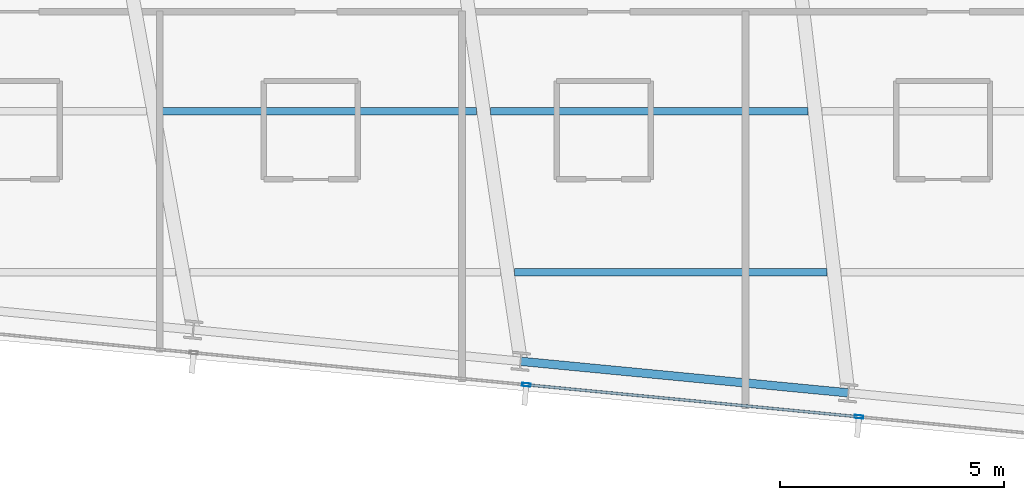
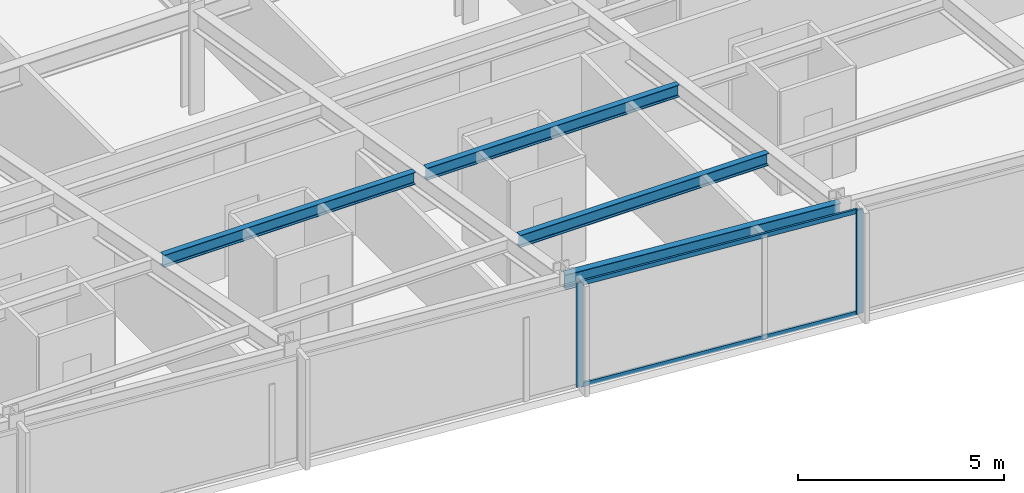
# One storey, part 12 of 36: 4 beams, 4 members, 1 element without a shape of its own.
"""IFC4 building model written with IfcOpenShell, lengths in metres."""

from ifc_helpers import new_model, si_unit, direction, frame, origin, origin_2d, place, context, subcontext, project, spatial, hollow_rectangle, i_section, extrude, material, material_profile, profile_set, type_object, element, aggregate, save


model = new_model("IFC4")

# Units and contexts
model_context = context("Model", 3, precision=1e-05, world=origin(), true_north=direction((0.0, 1.0)))
body_context = subcontext(model_context, "Body", "Model", "MODEL_VIEW")
ifc_project = project(units=[si_unit("LENGTHUNIT", "METRE"), si_unit("AREAUNIT", "SQUARE_METRE"), si_unit("VOLUMEUNIT", "CUBIC_METRE"), si_unit("PLANEANGLEUNIT", "RADIAN"), si_unit("MASSUNIT", "GRAM", prefix="KILO")], contexts=[model_context])

# Site, building, storey
site_placement = place(None, origin())
site = spatial("IfcSite", under=ifc_project, at=site_placement, CompositionType="ELEMENT")
building_placement = place(site_placement, origin())
building = spatial("IfcBuilding", under=site, at=building_placement, Name="Yelkora Congress Tower", CompositionType="ELEMENT")
storey_placement = place(building_placement, frame((0.0, 0.0, 152.300048828125)))
storey = spatial("IfcBuildingStorey", under=building, at=storey_placement, Name="L41", CompositionType="ELEMENT", Elevation=152.300048828125)

# Beams
ifc_material_1 = material(Name="Steel S355J2", Category="steel")
ifc_material_profile_1 = material_profile(ifc_material_1, i_section(OverallWidth=0.169921875, OverallDepth=0.360107421875, WebThickness=0.008056640625, FlangeThickness=0.0126953125, FilletRadius=0.01806640625, at=origin_2d()), Name="IPE 360")
ifc_profile_set_1 = profile_set([ifc_material_profile_1], Name="Steel S355J2")
beam_type_1 = type_object("IfcBeamType", Name="BM-JOIST-IPE360", PredefinedType="JOIST", material=ifc_profile_set_1)
beam_1_placement = place(storey_placement, frame((40.39990234375, 12.8212890625, 2.89990234375), z_axis=(1.0, 0.0, 0.0), x_axis=(0.0, 1.0, 0.0)))
element("IfcBeam", 1, at=beam_1_placement, inside=storey, type_object=beam_type_1, Name="L41 Composite Floor Joist 3", PredefinedType="JOIST", context=body_context, shape_type="SweptSolid", body=[
    extrude(i_section(OverallWidth=0.169921875, OverallDepth=0.360107421875, WebThickness=0.008056640625, FlangeThickness=0.0126953125, FilletRadius=0.01806640625, at=origin_2d()), origin(), (0.0, 0.0, 1.0), 6.98095703125),
])
beam_2_placement = place(storey_placement, frame((32.481201171875, 16.421142578125, 2.89990234375), z_axis=(1.0, 0.0, 0.0), x_axis=(0.0, 1.0, 0.0)))
element("IfcBeam", 2, at=beam_2_placement, inside=storey, type_object=beam_type_1, Name="L41 Composite Floor Joist 9", PredefinedType="JOIST", context=body_context, shape_type="SweptSolid", body=[
    extrude(i_section(OverallWidth=0.169921875, OverallDepth=0.360107421875, WebThickness=0.008056640625, FlangeThickness=0.0126953125, FilletRadius=0.01806640625, at=origin_2d()), origin(), (0.0, 0.0, 1.0), 7.063720703125),
])
beam_3_placement = place(storey_placement, frame((39.86474609375, 16.421142578125, 2.89990234375), z_axis=(1.0, 0.0, 0.0), x_axis=(0.0, 1.0, 0.0)))
element("IfcBeam", 3, at=beam_3_placement, inside=storey, type_object=beam_type_1, Name="L41 Composite Floor Joist 10", PredefinedType="JOIST", context=body_context, shape_type="SweptSolid", body=[
    extrude(i_section(OverallWidth=0.169921875, OverallDepth=0.360107421875, WebThickness=0.008056640625, FlangeThickness=0.0126953125, FilletRadius=0.01806640625, at=origin_2d()), origin(), (0.0, 0.0, 1.0), 7.09130859375),
])
ifc_material_profile_2 = material_profile(ifc_material_1, i_section(OverallWidth=0.18994140625, OverallDepth=0.449951171875, WebThickness=0.009521484375, FlangeThickness=0.0146484375, FilletRadius=0.02099609375, at=origin_2d()), Name="IPE 450")
ifc_profile_set_2 = profile_set([ifc_material_profile_2], Name="Steel S355J2")
beam_type_2 = type_object("IfcBeamType", Name="BM-SPAN-IPE450", PredefinedType="SPANDREL", material=ifc_profile_set_2)
beam_4_placement = place(storey_placement, frame((40.53564453125, 10.83154296875, 2.85498046875), z_axis=(0.995397104697, -0.095836339457, 0.0), x_axis=(0.095836339457, 0.995397104697, 0.0)))
element("IfcBeam", 4, at=beam_4_placement, inside=storey, type_object=beam_type_2, Name="L41 Perimeter Beam 7", PredefinedType="SPANDREL", context=body_context, shape_type="SweptSolid", body=[
    extrude(i_section(OverallWidth=0.18994140625, OverallDepth=0.449951171875, WebThickness=0.009521484375, FlangeThickness=0.0146484375, FilletRadius=0.02099609375, at=origin_2d()), origin(), (0.0, 0.0, 1.0), 7.357177734375),
])

# Curtain wall, members
ifc_material_2 = material(Name="Anodised aluminium and insulated glass", Category="aluminium")
curtain_wall_type = type_object("IfcCurtainWallType", Name="CW-SYS-B3", PredefinedType="NOTDEFINED", material=ifc_material_2)
curtain_wall_placement = place(storey_placement, origin())
curtain_wall = element("IfcCurtainWall", 5, at=curtain_wall_placement, inside=storey, type_object=curtain_wall_type, Name="L41 Unitised Curtain Wall 20", PredefinedType="NOTDEFINED")
ifc_material_3 = material(Name="Anodised aluminium 6063-T6", Category="aluminium")
ifc_material_profile_3 = material_profile(ifc_material_3, hollow_rectangle(XDim=0.070068359375, YDim=0.18994140625, WallThickness=0.00390625, at=origin_2d()), Name="ALU 70x190x4")
ifc_profile_set_3 = profile_set([ifc_material_profile_3], Name="Anodised aluminium 6063-T6")
member_type_1 = type_object("IfcMemberType", Name="MEM-ML-B3", PredefinedType="MULLION", material=ifc_profile_set_3)
member_1_placement = place(storey_placement, frame((48.1015625, 9.590576171875, 0.0), z_axis=(0.0, 0.0, 1.0), x_axis=(-0.095844680679, -0.995396301573, 0.0)))
member_1 = element("IfcMember", 6, at=member_1_placement, type_object=member_type_1, Name="CW-B3 mullion 2", PredefinedType="MULLION", context=body_context, shape_type="SweptSolid", body=[
    extrude(hollow_rectangle(XDim=0.070068359375, YDim=0.18994140625, WallThickness=0.00390625, at=origin_2d()), origin(), (0.0, 0.0, 1.0), 3.079833984375),
])
member_2_placement = place(storey_placement, frame((40.66162109375, 10.30712890625, 0.0), z_axis=(0.0, 0.0, 1.0), x_axis=(-0.095844680679, -0.995396301573, 0.0)))
member_2 = element("IfcMember", 7, at=member_2_placement, type_object=member_type_1, Name="CW-B3 mullion 3", PredefinedType="MULLION", context=body_context, shape_type="SweptSolid", body=[
    extrude(hollow_rectangle(XDim=0.070068359375, YDim=0.18994140625, WallThickness=0.00390625, at=origin_2d()), origin(), (0.0, 0.0, 1.0), 3.079833984375),
])
ifc_material_profile_4 = material_profile(ifc_material_3, hollow_rectangle(XDim=0.06005859375, YDim=0.1298828125, WallThickness=0.00390625, at=origin_2d()), Name="ALU 60x130x4")
ifc_profile_set_4 = profile_set([ifc_material_profile_4], Name="Anodised aluminium 6063-T6")
member_type_2 = type_object("IfcMemberType", Name="MEM-TR-B3", PredefinedType="USERDEFINED", material=ifc_profile_set_4)
member_3_placement = place(storey_placement, frame((48.066650390625, 9.593994140625, 0.030029296875), z_axis=(-0.99539548672, 0.095853142967, 0.0), x_axis=(-0.095853142967, -0.99539548672, 0.0)))
member_3 = element("IfcMember", 8, at=member_3_placement, type_object=member_type_2, Name="CW-B3 transom 2.1", ObjectType="TRANSOM", PredefinedType="USERDEFINED", context=body_context, shape_type="SweptSolid", body=[
    extrude(hollow_rectangle(XDim=0.06005859375, YDim=0.1298828125, WallThickness=0.00390625, at=origin_2d()), origin(), (0.0, 0.0, 1.0), 7.404296875),
])
member_4_placement = place(storey_placement, frame((48.066650390625, 9.593994140625, 3.050048828125), z_axis=(-0.99539548672, 0.095853142967, 0.0), x_axis=(-0.095853142967, -0.99539548672, 0.0)))
member_4 = element("IfcMember", 9, at=member_4_placement, type_object=member_type_2, Name="CW-B3 transom 2.2", ObjectType="TRANSOM", PredefinedType="USERDEFINED", context=body_context, shape_type="SweptSolid", body=[
    extrude(hollow_rectangle(XDim=0.06005859375, YDim=0.1298828125, WallThickness=0.00390625, at=origin_2d()), origin(), (0.0, 0.0, 1.0), 7.404296875),
])
aggregate(curtain_wall, [member_1, member_2, member_3, member_4])

save(model, "model.ifc")
